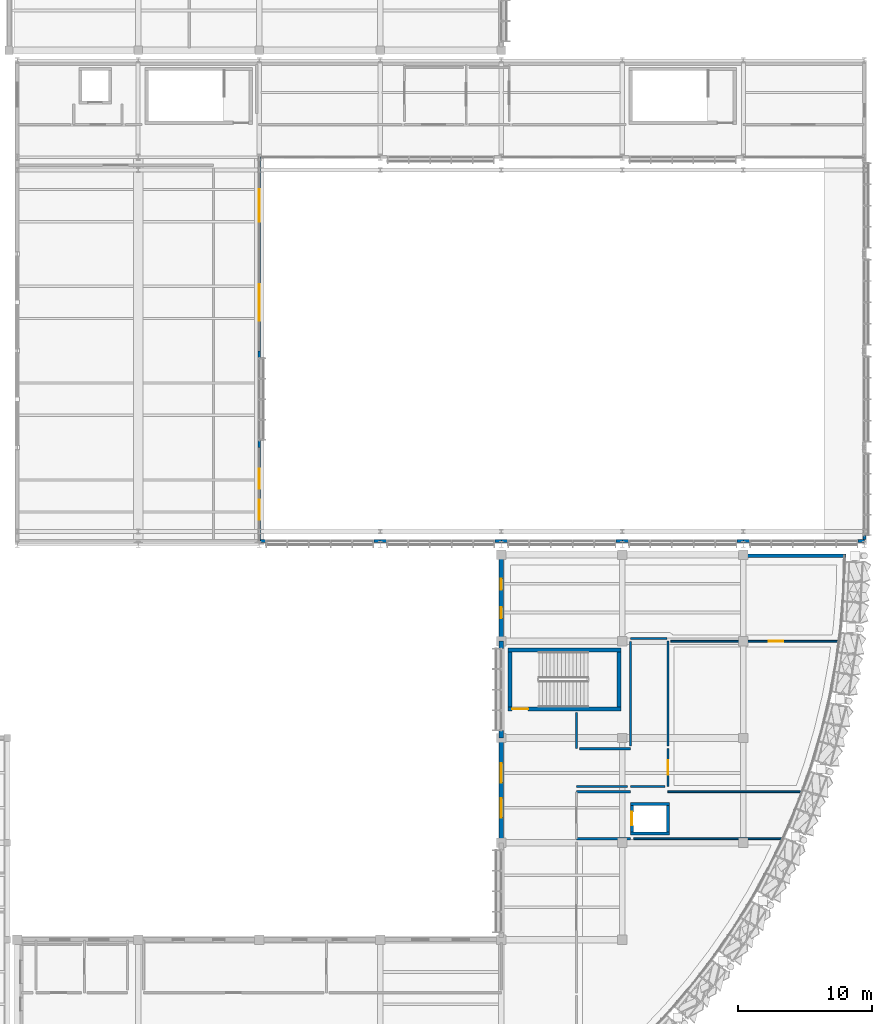
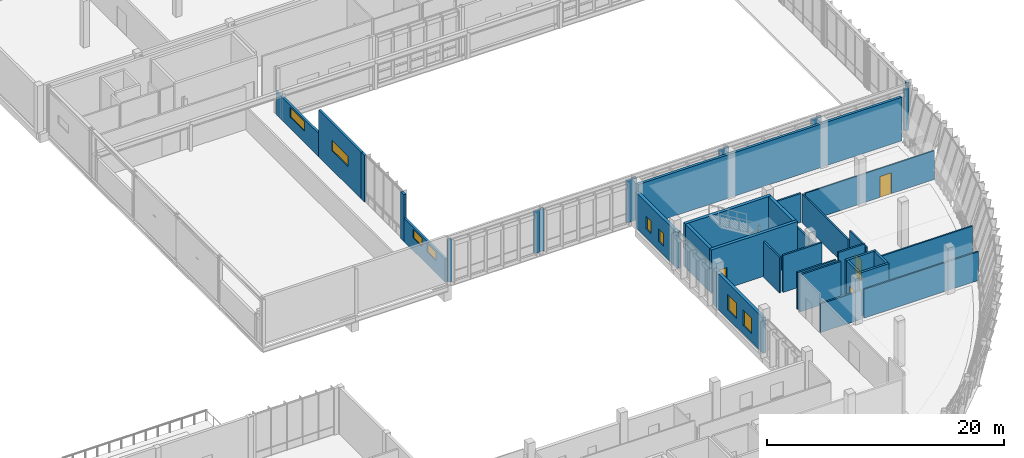
# One storey, part 158 of 177: 42 walls, 8 windows, 4 doors, 12 openings.
"""IFC4 building model written with IfcOpenShell, lengths in metres."""

from ifc_helpers import new_model, si_unit, direction, frame, frame_2d, origin, place, context, subcontext, project, spatial, rectangle, extrude, material, layer, layer_set, type_object, element, fill, save


model = new_model("IFC4")

# Units and contexts
model_context = context("Model", 3, precision=1e-05, world=origin(), true_north=direction((0.0, 1.0)))
body_context = subcontext(model_context, "Body", "Model", "MODEL_VIEW")
ifc_project = project(units=[si_unit("LENGTHUNIT", "METRE"), si_unit("AREAUNIT", "SQUARE_METRE"), si_unit("VOLUMEUNIT", "CUBIC_METRE"), si_unit("PLANEANGLEUNIT", "RADIAN"), si_unit("MASSUNIT", "GRAM", prefix="KILO")], contexts=[model_context])

# Site, building, storey
site_placement = place(None, origin())
site = spatial("IfcSite", under=ifc_project, at=site_placement, CompositionType="ELEMENT")
building_placement = place(site_placement, origin())
building = spatial("IfcBuilding", under=site, at=building_placement, Name="Chiffa Square Polytechnic", CompositionType="ELEMENT")
storey_placement = place(building_placement, frame((0.0, 0.0, 4.800048828125)))
storey = spatial("IfcBuildingStorey", under=building, at=storey_placement, Name="L01", CompositionType="ELEMENT", Elevation=4.800048828125)

# Wall, opening, door
ifc_material_1 = material(Name="Concrete C40/50", Category="concrete")
ifc_layer_1 = layer(ifc_material_1, 0.300048828125, Name="Concrete C40/50")
ifc_layer_set_1 = layer_set([ifc_layer_1], Name="Concrete C40/50")
wall_type_1 = type_object("IfcWallType", Name="WL-CORE-300", PredefinedType="SHEAR", material=ifc_layer_set_1)
wall_1_placement = place(storey_placement, frame((148.699951171875, 45.949951171875, 0.0), z_axis=(0.0, 0.0, 1.0), x_axis=(1.0, 0.0, 0.0)))
wall_1 = element("IfcWall", 1, at=wall_1_placement, inside=storey, type_object=wall_type_1, Name="Core or enclosure wall WC-CORE-V1B-L01-SOUTH", PredefinedType="SHEAR", context=body_context, shape_type="SweptSolid", body=[
    extrude(rectangle(XDim=8.400146484375, YDim=0.300048828125, at=frame_2d((4.2001953125, 0.0))), origin(), (0.0, 0.0, 1.0), 4.47998046875),
])
opening_1_placement = place(wall_1_placement, frame((0.300048828125, 0.0, 0.0)))
opening_1 = element("IfcOpeningElement", 2, at=opening_1_placement, cuts=wall_1, Name="Opening DS-L01-011", PredefinedType="OPENING", context=body_context, shape_type="SweptSolid", body=[
    extrude(rectangle(XDim=1.199951171875, YDim=2.14990234375, at=frame_2d((0.60009765625, 1.074951171875))), frame((0.0, 0.16015625, 0.0), z_axis=(0.0, -1.0, 0.0), x_axis=(1.0, 0.0, 0.0)), (0.0, 0.0, 1.0), 0.320068359375),
])
ifc_material_2 = material(Name="Fire-rated painted steel leaf", Category="steel")
door_type_1 = type_object("IfcDoorType", Name="DR-STAIR-1200", OperationType="NOTDEFINED", PredefinedType="DOOR", material=ifc_material_2)
door_1_placement = place(opening_1_placement, origin())
door_1 = element("IfcDoor", 3, at=door_1_placement, inside=storey, type_object=door_type_1, Name="Enclosure door DS-L01-011", OperationType="SINGLE_SWING_LEFT", OverallHeight=2.14990234375, OverallWidth=1.199951171875, PredefinedType="DOOR", context=body_context, shape_type="SweptSolid", body=[
    extrude(rectangle(XDim=1.199951171875, YDim=2.14990234375, at=frame_2d((0.60009765625, 1.074951171875))), frame((0.0, 0.02490234375, 0.0), z_axis=(0.0, -1.0, 0.0), x_axis=(1.0, 0.0, 0.0)), (0.0, 0.0, 1.0), 0.050048828125),
])
fill(opening_1, door_1)

# Walls
wall_2_placement = place(storey_placement, frame((148.699951171875, 50.35009765625, 0.0), z_axis=(0.0, 0.0, 1.0), x_axis=(1.0, 0.0, 0.0)))
element("IfcWall", 4, at=wall_2_placement, inside=storey, type_object=wall_type_1, Name="Core or enclosure wall WC-CORE-V1B-L01-NORTH", PredefinedType="SHEAR", context=body_context, shape_type="SweptSolid", body=[
    extrude(rectangle(XDim=8.400146484375, YDim=0.300048828125, at=frame_2d((4.2001953125, 0.0))), origin(), (0.0, 0.0, 1.0), 4.47998046875),
])
for number, where, z_axis, x_axis, name in (
    (5, (148.85009765625, 46.10009765625, 0.0), (0.0, 0.0, 1.0), (0.0, 1.0, 0.0), "Core or enclosure wall WC-CORE-V1B-L01-WEST"),
    (6, (156.949951171875, 46.10009765625, 0.0), (0.0, 0.0, 1.0), (0.0, 1.0, 0.0), "Core or enclosure wall WC-CORE-V1B-L01-EAST"),
):
    element("IfcWall", number, at=place(storey_placement, frame(where, z_axis=z_axis, x_axis=x_axis)), inside=storey, type_object=wall_type_1, Name=name, PredefinedType="SHEAR", context=body_context, shape_type="SweptSolid", body=[
        extrude(rectangle(XDim=4.099853515625, YDim=0.300048828125, at=frame_2d((2.0498046875, 0.0))), origin(), (0.0, 0.0, 1.0), 4.47998046875),
    ])

# Wall, openings, windows
ifc_material_3 = material(Name="Precast concrete C40/50", Category="concrete")
ifc_layer_2 = layer(ifc_material_3, 0.219970703125, Name="Precast concrete C40/50")
ifc_layer_set_2 = layer_set([ifc_layer_2], Name="Precast concrete C40/50")
wall_type_2 = type_object("IfcWallType", Name="WL-EXT-PC220", PredefinedType="SOLIDWALL", material=ifc_layer_set_2)
wall_3_placement = place(storey_placement, frame((130.199951171875, 58.449951171875, 0.0), z_axis=(0.0, 0.0, 1.0), x_axis=(0.0, 1.0, 0.0)))
wall_3 = element("IfcWall", 7, at=wall_3_placement, inside=storey, type_object=wall_type_2, Name="Exterior wall WE-V2-L01-0115", PredefinedType="SOLIDWALL", context=body_context, shape_type="SweptSolid", body=[
    extrude(rectangle(XDim=6.949951171875, YDim=0.219970703125, at=frame_2d((3.47509765625, 0.0))), origin(), (0.0, 0.0, 1.0), 2.385009765625),
])
opening_2_placement = place(wall_3_placement, frame((1.56689453125, 0.0, 1.31494140625)))
opening_2 = element("IfcOpeningElement", 8, at=opening_2_placement, cuts=wall_3, Name="Opening WCL-06", PredefinedType="OPENING", context=body_context, shape_type="SweptSolid", body=[
    extrude(rectangle(XDim=1.5, YDim=0.85009765625, at=frame_2d((0.75, 0.425048828125))), frame((0.0, 0.1201171875, 0.0), z_axis=(0.0, -1.0, 0.0), x_axis=(1.0, 0.0, 0.0)), (0.0, 0.0, 1.0), 0.239990234375),
])
opening_3_placement = place(wall_3_placement, frame((3.883056640625, 0.0, 1.31494140625)))
opening_3 = element("IfcOpeningElement", 9, at=opening_3_placement, cuts=wall_3, Name="Opening WCL-06", PredefinedType="OPENING", context=body_context, shape_type="SweptSolid", body=[
    extrude(rectangle(XDim=1.5, YDim=0.85009765625, at=frame_2d((0.75, 0.425048828125))), frame((0.0, 0.1201171875, 0.0), z_axis=(0.0, -1.0, 0.0), x_axis=(1.0, 0.0, 0.0)), (0.0, 0.0, 1.0), 0.239990234375),
])
ifc_material_4 = material(Name="Double glazing in thermally broken aluminium frame", Category="aluminium")
window_type_1 = type_object("IfcWindowType", Name="WIN-CLR-1500X0850", PartitioningType="DOUBLE_PANEL_VERTICAL", PredefinedType="WINDOW", material=ifc_material_4)
window_1_placement = place(opening_2_placement, origin())
window_1 = element("IfcWindow", 10, at=window_1_placement, inside=storey, type_object=window_type_1, Name="Facade window WN-L01-0107", OverallHeight=0.85009765625, OverallWidth=1.5, PartitioningType="DOUBLE_PANEL_VERTICAL", PredefinedType="WINDOW", context=body_context, shape_type="SweptSolid", body=[
    extrude(rectangle(XDim=1.5, YDim=0.85009765625, at=frame_2d((0.75, 0.425048828125))), frame((0.0, 0.030029296875, 0.0), z_axis=(0.0, -1.0, 0.0), x_axis=(1.0, 0.0, 0.0)), (0.0, 0.0, 1.0), 0.06005859375),
])
fill(opening_2, window_1)
window_2_placement = place(opening_3_placement, origin())
window_2 = element("IfcWindow", 11, at=window_2_placement, inside=storey, type_object=window_type_1, Name="Facade window WN-L01-0108", OverallHeight=0.85009765625, OverallWidth=1.5, PartitioningType="DOUBLE_PANEL_VERTICAL", PredefinedType="WINDOW", context=body_context, shape_type="SweptSolid", body=[
    extrude(rectangle(XDim=1.5, YDim=0.85009765625, at=frame_2d((0.75, 0.425048828125))), frame((0.0, 0.030029296875, 0.0), z_axis=(0.0, -1.0, 0.0), x_axis=(1.0, 0.0, 0.0)), (0.0, 0.0, 1.0), 0.06005859375),
])
fill(opening_3, window_2)

# Walls
for number, where, z_axis, x_axis, name in (
    (12, (130.199951171875, 65.39990234375, 0.0), (0.0, 0.0, 1.0), (0.0, 1.0, 0.0), "Facade column pier V2-L01-0116L"),
    (13, (130.199951171875, 72.06005859375, 0.0), (0.0, 0.0, 1.0), (0.0, 1.0, 0.0), "Facade column pier V2-L01-0116R"),
):
    element("IfcWall", number, at=place(storey_placement, frame(where, z_axis=z_axis, x_axis=x_axis)), inside=storey, type_object=wall_type_2, Name=name, PredefinedType="SOLIDWALL", context=body_context, shape_type="SweptSolid", body=[
        extrude(rectangle(XDim=0.5400390625, YDim=0.219970703125, at=frame_2d((0.27001953125, 0.0))), origin(), (0.0, 0.0, 1.0), 4.800048828125),
    ])

# Wall, opening, window
wall_4_placement = place(storey_placement, frame((130.199951171875, 72.60009765625, 0.0), z_axis=(0.0, 0.0, 1.0), x_axis=(0.0, 1.0, 0.0)))
wall_4 = element("IfcWall", 14, at=wall_4_placement, inside=storey, type_object=wall_type_2, Name="Exterior wall WE-V2-L01-0117", PredefinedType="SOLIDWALL", context=body_context, shape_type="SweptSolid", body=[
    extrude(rectangle(XDim=7.199951171875, YDim=0.219970703125, at=frame_2d((3.60009765625, 0.0))), origin(), (0.0, 0.0, 1.0), 4.800048828125),
])
opening_4_placement = place(wall_4_placement, frame((2.25, 0.0, 2.0)))
opening_4 = element("IfcOpeningElement", 15, at=opening_4_placement, cuts=wall_4, Name="Opening WCL-02", PredefinedType="OPENING", context=body_context, shape_type="SweptSolid", body=[
    extrude(rectangle(XDim=2.699951171875, YDim=1.050048828125, at=frame_2d((1.35009765625, 0.52490234375))), frame((0.0, 0.1201171875, 0.0), z_axis=(0.0, -1.0, 0.0), x_axis=(1.0, 0.0, 0.0)), (0.0, 0.0, 1.0), 0.239990234375),
])
window_type_2 = type_object("IfcWindowType", Name="WIN-CLR-2700X1050", PartitioningType="DOUBLE_PANEL_VERTICAL", PredefinedType="WINDOW", material=ifc_material_4)
window_3_placement = place(opening_4_placement, origin())
window_3 = element("IfcWindow", 16, at=window_3_placement, inside=storey, type_object=window_type_2, Name="Facade window WN-L01-0109", OverallHeight=1.050048828125, OverallWidth=2.699951171875, PartitioningType="DOUBLE_PANEL_VERTICAL", PredefinedType="WINDOW", context=body_context, shape_type="SweptSolid", body=[
    extrude(rectangle(XDim=2.699951171875, YDim=1.050048828125, at=frame_2d((1.35009765625, 0.52490234375))), frame((0.0, 0.030029296875, 0.0), z_axis=(0.0, -1.0, 0.0), x_axis=(1.0, 0.0, 0.0)), (0.0, 0.0, 1.0), 0.06005859375),
])
fill(opening_4, window_3)

wall_5_placement = place(storey_placement, frame((130.199951171875, 79.800048828125, 0.0), z_axis=(0.0, 0.0, 1.0), x_axis=(0.0, 1.0, 0.0)))
wall_5 = element("IfcWall", 17, at=wall_5_placement, inside=storey, type_object=wall_type_2, Name="Exterior wall WE-V2-L01-0118", PredefinedType="SOLIDWALL", context=body_context, shape_type="SweptSolid", body=[
    extrude(rectangle(XDim=7.199951171875, YDim=0.219970703125, at=frame_2d((3.60009765625, 0.0))), origin(), (0.0, 0.0, 1.0), 2.385009765625),
])
opening_5_placement = place(wall_5_placement, frame((2.39990234375, 0.0, 1.1650390625)))
opening_5 = element("IfcOpeningElement", 18, at=opening_5_placement, cuts=wall_5, Name="Opening WCL-03", PredefinedType="OPENING", context=body_context, shape_type="SweptSolid", body=[
    extrude(rectangle(XDim=2.39990234375, YDim=1.0, at=frame_2d((1.199951171875, 0.5))), frame((0.0, 0.1201171875, 0.0), z_axis=(0.0, -1.0, 0.0), x_axis=(1.0, 0.0, 0.0)), (0.0, 0.0, 1.0), 0.239990234375),
])
window_type_3 = type_object("IfcWindowType", Name="WIN-CLR-2400X1000", PartitioningType="DOUBLE_PANEL_VERTICAL", PredefinedType="WINDOW", material=ifc_material_4)
window_4_placement = place(opening_5_placement, origin())
window_4 = element("IfcWindow", 19, at=window_4_placement, inside=storey, type_object=window_type_3, Name="Facade window WN-L01-0110", OverallHeight=1.0, OverallWidth=2.39990234375, PartitioningType="DOUBLE_PANEL_VERTICAL", PredefinedType="WINDOW", context=body_context, shape_type="SweptSolid", body=[
    extrude(rectangle(XDim=2.39990234375, YDim=1.0, at=frame_2d((1.199951171875, 0.5))), frame((0.0, 0.030029296875, 0.0), z_axis=(0.0, -1.0, 0.0), x_axis=(1.0, 0.0, 0.0)), (0.0, 0.0, 1.0), 0.06005859375),
])
fill(opening_5, window_4)

# Walls
wall_6_placement = place(storey_placement, frame((130.31201171875, 58.449951171875, 0.0), z_axis=(0.0, 0.0, 1.0), x_axis=(1.0, 0.0, 0.0)))
element("IfcWall", 20, at=wall_6_placement, inside=storey, type_object=wall_type_2, Name="Workshop south courtyard pier WE-V2-L01S-P01A", PredefinedType="SOLIDWALL", context=body_context, shape_type="SweptSolid", body=[
    extrude(rectangle(XDim=0.367919921875, YDim=0.219970703125, at=frame_2d((0.18408203125, 0.0))), origin(), (0.0, 0.0, 1.0), 4.3349609375),
])
for number, where, z_axis, x_axis, name in (
    (21, (138.719970703125, 58.449951171875, 0.0), (0.0, 0.0, 1.0), (1.0, 0.0, 0.0), "Workshop south courtyard pier WE-V2-L01S-P01B"),
    (22, (139.199951171875, 58.449951171875, 0.0), (0.0, 0.0, 1.0), (1.0, 0.0, 0.0), "Workshop south courtyard pier WE-V2-L01S-P02A"),
    (23, (147.719970703125, 58.449951171875, 0.0), (0.0, 0.0, 1.0), (1.0, 0.0, 0.0), "Workshop south courtyard pier WE-V2-L01S-P02B"),
    (24, (148.199951171875, 58.449951171875, 0.0), (0.0, 0.0, 1.0), (1.0, 0.0, 0.0), "Workshop south courtyard pier WE-V2-L01S-P03A"),
    (25, (156.719970703125, 58.449951171875, 0.0), (0.0, 0.0, 1.0), (1.0, 0.0, 0.0), "Workshop south courtyard pier WE-V2-L01S-P03B"),
    (26, (157.199951171875, 58.449951171875, 0.0), (0.0, 0.0, 1.0), (1.0, 0.0, 0.0), "Workshop south courtyard pier WE-V2-L01S-P04A"),
    (27, (165.719970703125, 58.449951171875, 0.0), (0.0, 0.0, 1.0), (1.0, 0.0, 0.0), "Workshop south courtyard pier WE-V2-L01S-P04B"),
    (28, (166.199951171875, 58.449951171875, 0.0), (0.0, 0.0, 1.0), (1.0, 0.0, 0.0), "Workshop south courtyard pier WE-V2-L01S-P05A"),
    (29, (174.719970703125, 58.449951171875, 0.0), (0.0, 0.0, 1.0), (1.0, 0.0, 0.0), "Workshop south courtyard pier WE-V2-L01S-P05B"),
):
    element("IfcWall", number, at=place(storey_placement, frame(where, z_axis=z_axis, x_axis=x_axis)), inside=storey, type_object=wall_type_2, Name=name, PredefinedType="SOLIDWALL", context=body_context, shape_type="SweptSolid", body=[
        extrude(rectangle(XDim=0.47998046875, YDim=0.219970703125, at=frame_2d((0.239990234375, 0.0))), origin(), (0.0, 0.0, 1.0), 4.3349609375),
    ])
wall_7_placement = place(storey_placement, frame((175.199951171875, 58.56201171875, 0.0), z_axis=(0.0, 0.0, 1.0), x_axis=(0.0, 1.0, 0.0)))
element("IfcWall", 30, at=wall_7_placement, inside=storey, type_object=wall_type_2, Name="Workshop east pier WE-V2-L01E-P01A", PredefinedType="SOLIDWALL", context=body_context, shape_type="SweptSolid", body=[
    extrude(rectangle(XDim=0.30810546875, YDim=0.219970703125, at=frame_2d((0.154052734375, 0.0))), origin(), (0.0, 0.0, 1.0), 4.75),
])

# Wall, openings, windows
ifc_layer_3 = layer(ifc_material_3, 0.300048828125, Name="Precast concrete C40/50")
ifc_layer_set_3 = layer_set([ifc_layer_3], Name="Precast concrete C40/50")
wall_type_3 = type_object("IfcWallType", Name="WL-EXT-PC300", PredefinedType="SOLIDWALL", material=ifc_layer_set_3)
wall_8_placement = place(storey_placement, frame((148.199951171875, 43.800048828125, 0.0), z_axis=(0.0, 0.0, 1.0), x_axis=(0.0, -1.0, 0.0)))
wall_8 = element("IfcWall", 31, at=wall_8_placement, inside=storey, type_object=wall_type_3, Name="Exterior wall WE-V1-L01-0024", PredefinedType="SOLIDWALL", context=body_context, shape_type="SweptSolid", body=[
    extrude(rectangle(XDim=7.800048828125, YDim=0.300048828125, at=frame_2d((3.89990234375, 0.0))), origin(), (0.0, 0.0, 1.0), 3.6650390625),
])
opening_6_placement = place(wall_8_placement, frame((1.875, 0.0, 0.89990234375)))
opening_6 = element("IfcOpeningElement", 32, at=opening_6_placement, cuts=wall_8, Name="Opening W-16", PredefinedType="OPENING", context=body_context, shape_type="SweptSolid", body=[
    extrude(rectangle(XDim=1.449951171875, YDim=1.60009765625, at=frame_2d((0.72509765625, 0.800048828125))), frame((0.0, 0.16015625, 0.0), z_axis=(0.0, -1.0, 0.0), x_axis=(1.0, 0.0, 0.0)), (0.0, 0.0, 1.0), 0.320068359375),
])
opening_7_placement = place(wall_8_placement, frame((4.47509765625, 0.0, 0.89990234375)))
opening_7 = element("IfcOpeningElement", 33, at=opening_7_placement, cuts=wall_8, Name="Opening W-16", PredefinedType="OPENING", context=body_context, shape_type="SweptSolid", body=[
    extrude(rectangle(XDim=1.449951171875, YDim=1.60009765625, at=frame_2d((0.72509765625, 0.800048828125))), frame((0.0, 0.16015625, 0.0), z_axis=(0.0, -1.0, 0.0), x_axis=(1.0, 0.0, 0.0)), (0.0, 0.0, 1.0), 0.320068359375),
])
window_type_4 = type_object("IfcWindowType", Name="WIN-OFF-1450X1600", PartitioningType="DOUBLE_PANEL_VERTICAL", PredefinedType="WINDOW", material=ifc_material_4)
window_5_placement = place(opening_6_placement, origin())
window_5 = element("IfcWindow", 34, at=window_5_placement, inside=storey, type_object=window_type_4, Name="Facade window WN-L01-0017", OverallHeight=1.60009765625, OverallWidth=1.449951171875, PartitioningType="DOUBLE_PANEL_VERTICAL", PredefinedType="WINDOW", context=body_context, shape_type="SweptSolid", body=[
    extrude(rectangle(XDim=1.449951171875, YDim=1.60009765625, at=frame_2d((0.72509765625, 0.800048828125))), frame((0.0, 0.030029296875, 0.0), z_axis=(0.0, -1.0, 0.0), x_axis=(1.0, 0.0, 0.0)), (0.0, 0.0, 1.0), 0.06005859375),
])
fill(opening_6, window_5)
window_6_placement = place(opening_7_placement, origin())
window_6 = element("IfcWindow", 35, at=window_6_placement, inside=storey, type_object=window_type_4, Name="Facade window WN-L01-0018", OverallHeight=1.60009765625, OverallWidth=1.449951171875, PartitioningType="DOUBLE_PANEL_VERTICAL", PredefinedType="WINDOW", context=body_context, shape_type="SweptSolid", body=[
    extrude(rectangle(XDim=1.449951171875, YDim=1.60009765625, at=frame_2d((0.72509765625, 0.800048828125))), frame((0.0, 0.030029296875, 0.0), z_axis=(0.0, -1.0, 0.0), x_axis=(1.0, 0.0, 0.0)), (0.0, 0.0, 1.0), 0.06005859375),
])
fill(opening_7, window_6)

ifc_layer_4 = layer(ifc_material_3, 0.320068359375, Name="Precast concrete C40/50")
ifc_layer_set_4 = layer_set([ifc_layer_4], Name="Precast concrete C40/50")
wall_type_4 = type_object("IfcWallType", Name="WL-EXT-PC320", PredefinedType="SOLIDWALL", material=ifc_layer_set_4)
wall_9_placement = place(storey_placement, frame((148.199951171875, 57.35009765625, 0.0), z_axis=(0.0, 0.0, 1.0), x_axis=(0.0, -1.0, 0.0)))
wall_9 = element("IfcWall", 36, at=wall_9_placement, inside=storey, type_object=wall_type_4, Name="Exterior wall WE-V1-L01-0022", PredefinedType="SOLIDWALL", context=body_context, shape_type="SweptSolid", body=[
    extrude(rectangle(XDim=6.35009765625, YDim=0.320068359375, at=frame_2d((3.175048828125, 0.0))), origin(), (0.0, 0.0, 1.0), 3.6650390625),
])
opening_8_placement = place(wall_9_placement, frame((1.69189453125, 0.0, 0.89990234375)))
opening_8 = element("IfcOpeningElement", 37, at=opening_8_placement, cuts=wall_9, Name="Opening W-22", PredefinedType="OPENING", context=body_context, shape_type="SweptSolid", body=[
    extrude(rectangle(XDim=0.85009765625, YDim=1.300048828125, at=frame_2d((0.425048828125, 0.64990234375))), frame((0.0, 0.169921875, 0.0), z_axis=(0.0, -1.0, 0.0), x_axis=(1.0, 0.0, 0.0)), (0.0, 0.0, 1.0), 0.340087890625),
])
opening_9_placement = place(wall_9_placement, frame((3.80810546875, 0.0, 0.89990234375)))
opening_9 = element("IfcOpeningElement", 38, at=opening_9_placement, cuts=wall_9, Name="Opening W-22", PredefinedType="OPENING", context=body_context, shape_type="SweptSolid", body=[
    extrude(rectangle(XDim=0.85009765625, YDim=1.300048828125, at=frame_2d((0.425048828125, 0.64990234375))), frame((0.0, 0.169921875, 0.0), z_axis=(0.0, -1.0, 0.0), x_axis=(1.0, 0.0, 0.0)), (0.0, 0.0, 1.0), 0.340087890625),
])
window_type_5 = type_object("IfcWindowType", Name="WIN-OFF-0850X1300", PartitioningType="DOUBLE_PANEL_VERTICAL", PredefinedType="WINDOW", material=ifc_material_4)
window_7_placement = place(opening_8_placement, origin())
window_7 = element("IfcWindow", 39, at=window_7_placement, inside=storey, type_object=window_type_5, Name="Facade window WN-L01-0015", OverallHeight=1.300048828125, OverallWidth=0.85009765625, PartitioningType="DOUBLE_PANEL_VERTICAL", PredefinedType="WINDOW", context=body_context, shape_type="SweptSolid", body=[
    extrude(rectangle(XDim=0.85009765625, YDim=1.300048828125, at=frame_2d((0.425048828125, 0.64990234375))), frame((0.0, 0.030029296875, 0.0), z_axis=(0.0, -1.0, 0.0), x_axis=(1.0, 0.0, 0.0)), (0.0, 0.0, 1.0), 0.06005859375),
])
fill(opening_8, window_7)
window_8_placement = place(opening_9_placement, origin())
window_8 = element("IfcWindow", 40, at=window_8_placement, inside=storey, type_object=window_type_5, Name="Facade window WN-L01-0016", OverallHeight=1.300048828125, OverallWidth=0.85009765625, PartitioningType="DOUBLE_PANEL_VERTICAL", PredefinedType="WINDOW", context=body_context, shape_type="SweptSolid", body=[
    extrude(rectangle(XDim=0.85009765625, YDim=1.300048828125, at=frame_2d((0.425048828125, 0.64990234375))), frame((0.0, 0.030029296875, 0.0), z_axis=(0.0, -1.0, 0.0), x_axis=(1.0, 0.0, 0.0)), (0.0, 0.0, 1.0), 0.06005859375),
])
fill(opening_9, window_8)

# Walls
ifc_layer_5 = layer(ifc_material_3, 0.340087890625, Name="Precast concrete C40/50")
ifc_layer_set_5 = layer_set([ifc_layer_5], Name="Precast concrete C40/50")
wall_type_5 = type_object("IfcWallType", Name="WL-EXT-PC340", PredefinedType="SOLIDWALL", material=ifc_layer_set_5)
for number, where, z_axis, x_axis, name in (
    (41, (148.199951171875, 51.0, 0.0), (0.0, 0.0, 1.0), (0.0, -1.0, 0.0), "Facade column pier V1-L01-0023L"),
    (42, (148.199951171875, 44.340087890625, 0.0), (0.0, 0.0, 1.0), (0.0, -1.0, 0.0), "Facade column pier V1-L01-0023R"),
):
    element("IfcWall", number, at=place(storey_placement, frame(where, z_axis=z_axis, x_axis=x_axis)), inside=storey, type_object=wall_type_5, Name=name, PredefinedType="SOLIDWALL", context=body_context, shape_type="SweptSolid", body=[
        extrude(rectangle(XDim=0.5400390625, YDim=0.340087890625, at=frame_2d((0.27001953125, 0.0))), origin(), (0.0, 0.0, 1.0), 3.6650390625),
    ])

# Wall, opening, door
ifc_material_5 = material(Name="Gypsum board on steel stud", Category="steel")
ifc_layer_6 = layer(ifc_material_5, 0.125, Name="Gypsum board on steel stud")
ifc_layer_set_6 = layer_set([ifc_layer_6], Name="Gypsum board on steel stud")
wall_type_6 = type_object("IfcWallType", Name="WL-PART-125", PredefinedType="PARTITIONING", material=ifc_layer_set_6)
wall_10_placement = place(storey_placement, frame((160.820068359375, 51.0, 0.0), z_axis=(0.0, 0.0, 1.0), x_axis=(1.0, 0.0, 0.0)))
wall_10 = element("IfcWall", 43, at=wall_10_placement, inside=storey, type_object=wall_type_6, Name="Interior partition WP-V1-L01-0302", PredefinedType="PARTITIONING", context=body_context, shape_type="SweptSolid", body=[
    extrude(rectangle(XDim=12.550048828125, YDim=0.125, at=frame_2d((6.27490234375, 0.0))), origin(), (0.0, 0.0, 1.0), 2.96484375),
])
opening_10_placement = place(wall_10_placement, frame((7.26611328125, 0.0, 0.0)))
opening_10 = element("IfcOpeningElement", 44, at=opening_10_placement, cuts=wall_10, Name="Opening DI-L01-136", PredefinedType="OPENING", context=body_context, shape_type="SweptSolid", body=[
    extrude(rectangle(XDim=1.10009765625, YDim=2.14990234375, at=frame_2d((0.550048828125, 1.074951171875))), frame((0.0, 0.072509765625, 0.0), z_axis=(0.0, -1.0, 0.0), x_axis=(1.0, 0.0, 0.0)), (0.0, 0.0, 1.0), 0.14501953125),
])
ifc_material_6 = material(Name="Solid core ash veneer door")
door_type_2 = type_object("IfcDoorType", Name="DR-INT-1100", OperationType="NOTDEFINED", PredefinedType="DOOR", material=ifc_material_6)
door_2_placement = place(opening_10_placement, origin())
door_2 = element("IfcDoor", 45, at=door_2_placement, inside=storey, type_object=door_type_2, Name="Interior room door DI-L01-136", OperationType="SINGLE_SWING_LEFT", OverallHeight=2.14990234375, OverallWidth=1.10009765625, PredefinedType="DOOR", context=body_context, shape_type="SweptSolid", body=[
    extrude(rectangle(XDim=1.10009765625, YDim=2.14990234375, at=frame_2d((0.550048828125, 1.074951171875))), frame((0.0, 0.02490234375, 0.0), z_axis=(0.0, -1.0, 0.0), x_axis=(1.0, 0.0, 0.0)), (0.0, 0.0, 1.0), 0.050048828125),
])
fill(opening_10, door_2)

# Walls
ifc_layer_7 = layer(ifc_material_5, 0.135009765625, Name="Gypsum board on steel stud")
ifc_layer_set_7 = layer_set([ifc_layer_7], Name="Gypsum board on steel stud")
wall_type_7 = type_object("IfcWallType", Name="WL-PART-135", PredefinedType="PARTITIONING", material=ifc_layer_set_7)
wall_11_placement = place(storey_placement, frame((160.60009765625, 43.219970703125, 0.0), z_axis=(0.0, 0.0, 1.0), x_axis=(0.0, 1.0, 0.0)))
element("IfcWall", 46, at=wall_11_placement, inside=storey, type_object=wall_type_7, Name="Interior partition WP-V1-L01-0301", PredefinedType="PARTITIONING", context=body_context, shape_type="SweptSolid", body=[
    extrude(rectangle(XDim=7.780029296875, YDim=0.135009765625, at=frame_2d((3.89013671875, 0.0))), origin(), (0.0, 0.0, 1.0), 2.96484375),
])
wall_12_placement = place(storey_placement, frame((158.0400390625, 36.300048828125, 0.0), z_axis=(0.0, 0.0, 1.0), x_axis=(1.0, 0.0, 0.0)))
element("IfcWall", 47, at=wall_12_placement, inside=storey, type_object=wall_type_7, Name="Interior partition WP-V1-L01-0325", PredefinedType="PARTITIONING", context=body_context, shape_type="SweptSolid", body=[
    extrude(rectangle(XDim=11.153076171875, YDim=0.135009765625, at=frame_2d((5.57666015625, 0.0))), origin(), (0.0, 0.0, 1.0), 2.96484375),
])
ifc_layer_8 = layer(ifc_material_5, 0.14501953125, Name="Gypsum board on steel stud")
ifc_layer_set_8 = layer_set([ifc_layer_8], Name="Gypsum board on steel stud")
wall_type_8 = type_object("IfcWallType", Name="WL-PART-145", PredefinedType="PARTITIONING", material=ifc_layer_set_8)
wall_13_placement = place(storey_placement, frame((160.60009765625, 39.800048828125, 0.0), z_axis=(0.0, 0.0, 1.0), x_axis=(1.0, 0.0, 0.0)))
element("IfcWall", 48, at=wall_13_placement, inside=storey, type_object=wall_type_8, Name="Interior partition WP-V1-L01-0303", PredefinedType="PARTITIONING", context=body_context, shape_type="SweptSolid", body=[
    extrude(rectangle(XDim=10.034912109375, YDim=0.14501953125, at=frame_2d((5.017578125, 0.0))), origin(), (0.0, 0.0, 1.0), 2.96484375),
])
ifc_material_7 = material(Name="Gypsum board on acoustic steel stud", Category="steel")
ifc_layer_9 = layer(ifc_material_7, 0.159912109375, Name="Gypsum board on acoustic steel stud")
ifc_layer_set_9 = layer_set([ifc_layer_9], Name="Gypsum board on acoustic steel stud")
wall_type_9 = type_object("IfcWallType", Name="WL-PART-EI60-160", PredefinedType="PARTITIONING", material=ifc_layer_set_9)
wall_14_placement = place(storey_placement, frame((153.800048828125, 36.300048828125, 0.0), z_axis=(0.0, 0.0, 1.0), x_axis=(1.0, 0.0, 0.0)))
element("IfcWall", 49, at=wall_14_placement, inside=storey, type_object=wall_type_9, Name="Lift lobby rated enclosure WP-LOB-LP-V1B-L01-SOUTH", PredefinedType="PARTITIONING", context=body_context, shape_type="SweptSolid", body=[
    extrude(rectangle(XDim=4.0, YDim=0.159912109375, at=frame_2d((2.0, 0.0))), origin(), (0.0, 0.0, 1.0), 2.96484375),
])
wall_15_placement = place(storey_placement, frame((153.800048828125, 39.800048828125, 0.0), z_axis=(0.0, 0.0, 1.0), x_axis=(1.0, 0.0, 0.0)))
element("IfcWall", 50, at=wall_15_placement, inside=storey, type_object=wall_type_9, Name="Lift lobby rated enclosure WP-LOB-LP-V1B-L01-NORTH", PredefinedType="PARTITIONING", context=body_context, shape_type="SweptSolid", body=[
    extrude(rectangle(XDim=4.0, YDim=0.159912109375, at=frame_2d((2.0, 0.0))), origin(), (0.0, 0.0, 1.0), 3.81494140625),
])

# Wall, opening, door
wall_16_placement = place(storey_placement, frame((160.60009765625, 40.199951171875, 0.0), z_axis=(0.0, 0.0, 1.0), x_axis=(0.0, 1.0, 0.0)))
wall_16 = element("IfcWall", 51, at=wall_16_placement, inside=storey, type_object=wall_type_9, Name="Interior partition WP-V1-L01-0300", PredefinedType="PARTITIONING", context=body_context, shape_type="SweptSolid", body=[
    extrude(rectangle(XDim=2.800048828125, YDim=0.159912109375, at=frame_2d((1.39990234375, 0.0))), origin(), (0.0, 0.0, 1.0), 4.02490234375),
])
opening_11_placement = place(wall_16_placement, frame((0.85009765625, 0.0, 0.0)))
opening_11 = element("IfcOpeningElement", 52, at=opening_11_placement, cuts=wall_16, Name="Opening DI-L01-135", PredefinedType="OPENING", context=body_context, shape_type="SweptSolid", body=[
    extrude(rectangle(XDim=1.10009765625, YDim=2.14990234375, at=frame_2d((0.550048828125, 1.074951171875))), frame((0.0, 0.08984375, 0.0), z_axis=(0.0, -1.0, 0.0), x_axis=(1.0, 0.0, 0.0)), (0.0, 0.0, 1.0), 0.179931640625),
])
door_3_placement = place(opening_11_placement, origin())
door_3 = element("IfcDoor", 53, at=door_3_placement, inside=storey, type_object=door_type_2, Name="Interior room door DI-L01-135", OperationType="SINGLE_SWING_RIGHT", OverallHeight=2.14990234375, OverallWidth=1.10009765625, PredefinedType="DOOR", context=body_context, shape_type="SweptSolid", body=[
    extrude(rectangle(XDim=1.10009765625, YDim=2.14990234375, at=frame_2d((0.550048828125, 1.074951171875))), frame((0.0, 0.02490234375, 0.0), z_axis=(0.0, -1.0, 0.0), x_axis=(1.0, 0.0, 0.0)), (0.0, 0.0, 1.0), 0.050048828125),
])
fill(opening_11, door_3)

# Walls
wall_17_placement = place(storey_placement, frame((157.800048828125, 51.199951171875, 0.0), z_axis=(0.0, 0.0, 1.0), x_axis=(1.0, 0.0, 0.0)))
element("IfcWall", 54, at=wall_17_placement, inside=storey, type_object=wall_type_9, Name="Interior partition WP-V1-L01-0307", PredefinedType="PARTITIONING", context=body_context, shape_type="SweptSolid", body=[
    extrude(rectangle(XDim=2.708984375, YDim=0.159912109375, at=frame_2d((1.3544921875, 0.0))), origin(), (0.0, 0.0, 1.0), 2.96484375),
])
wall_18_placement = place(storey_placement, frame((153.800048828125, 43.0, 0.0), z_axis=(0.0, 0.0, 1.0), x_axis=(0.0, 1.0, 0.0)))
element("IfcWall", 55, at=wall_18_placement, inside=storey, type_object=wall_type_9, Name="Interior partition WP-V1-L01-0360", PredefinedType="PARTITIONING", context=body_context, shape_type="SweptSolid", body=[
    extrude(rectangle(XDim=2.7099609375, YDim=0.159912109375, at=frame_2d((1.35498046875, 0.0))), origin(), (0.0, 0.0, 1.0), 3.6650390625),
])
wall_19_placement = place(storey_placement, frame((154.02001953125, 43.0, 0.0), z_axis=(0.0, 0.0, 1.0), x_axis=(1.0, 0.0, 0.0)))
element("IfcWall", 56, at=wall_19_placement, inside=storey, type_object=wall_type_9, Name="Interior partition WP-V1-L01-0361", PredefinedType="PARTITIONING", context=body_context, shape_type="SweptSolid", body=[
    extrude(rectangle(XDim=3.780029296875, YDim=0.159912109375, at=frame_2d((1.89013671875, 0.0))), origin(), (0.0, 0.0, 1.0), 3.81494140625),
])
wall_20_placement = place(storey_placement, frame((157.800048828125, 43.219970703125, 0.0), z_axis=(0.0, 0.0, 1.0), x_axis=(0.0, 1.0, 0.0)))
element("IfcWall", 57, at=wall_20_placement, inside=storey, type_object=wall_type_9, Name="Interior partition WP-V1-L01-0362", PredefinedType="PARTITIONING", context=body_context, shape_type="SweptSolid", body=[
    extrude(rectangle(XDim=7.760009765625, YDim=0.159912109375, at=frame_2d((3.8798828125, 0.0))), origin(), (0.0, 0.0, 1.0), 2.96484375),
])
wall_21_placement = place(storey_placement, frame((157.800048828125, 40.199951171875, 0.0), z_axis=(0.0, 0.0, 1.0), x_axis=(1.0, 0.0, 0.0)))
element("IfcWall", 58, at=wall_21_placement, inside=storey, type_object=wall_type_9, Name="Interior partition WP-V1-L01-0363", PredefinedType="PARTITIONING", context=body_context, shape_type="SweptSolid", body=[
    extrude(rectangle(XDim=2.579833984375, YDim=0.159912109375, at=frame_2d((1.2900390625, 0.0))), origin(), (0.0, 0.0, 1.0), 4.47998046875),
])
wall_22_placement = place(storey_placement, frame((153.800048828125, 40.199951171875, 0.0), z_axis=(0.0, 0.0, 1.0), x_axis=(1.0, 0.0, 0.0)))
element("IfcWall", 59, at=wall_22_placement, inside=storey, type_object=wall_type_9, Name="Interior partition WP-V1-L01-0364", PredefinedType="PARTITIONING", context=body_context, shape_type="SweptSolid", body=[
    extrude(rectangle(XDim=3.780029296875, YDim=0.159912109375, at=frame_2d((1.89013671875, 0.0))), origin(), (0.0, 0.0, 1.0), 3.81494140625),
])
ifc_material_8 = material(Name="Concrete C35/45", Category="concrete")
ifc_layer_10 = layer(ifc_material_8, 0.219970703125, Name="Concrete C35/45")
ifc_layer_set_10 = layer_set([ifc_layer_10], Name="Concrete C35/45")
wall_type_10 = type_object("IfcWallType", Name="WL-SHAFT-220", PredefinedType="SHEAR", material=ifc_layer_set_10)
for number, where, z_axis, x_axis, name in (
    (60, (157.800048828125, 36.7099609375, 0.0), (0.0, 0.0, 1.0), (1.0, 0.0, 0.0), "Core or enclosure wall WS-LP-V1B-L01-SOUTH"),
    (61, (157.800048828125, 38.889892578125, 0.0), (0.0, 0.0, 1.0), (1.0, 0.0, 0.0), "Core or enclosure wall WS-LP-V1B-L01-NORTH"),
):
    element("IfcWall", number, at=place(storey_placement, frame(where, z_axis=z_axis, x_axis=x_axis)), inside=storey, type_object=wall_type_10, Name=name, PredefinedType="SHEAR", context=body_context, shape_type="SweptSolid", body=[
        extrude(rectangle(XDim=2.89990234375, YDim=0.219970703125, at=frame_2d((1.449951171875, 0.0))), origin(), (0.0, 0.0, 1.0), 4.47998046875),
    ])

# Wall, opening, door
wall_23_placement = place(storey_placement, frame((157.909912109375, 36.820068359375, 0.0), z_axis=(0.0, 0.0, 1.0), x_axis=(0.0, 1.0, 0.0)))
wall_23 = element("IfcWall", 62, at=wall_23_placement, inside=storey, type_object=wall_type_10, Name="Core or enclosure wall WS-LP-V1B-L01-WEST", PredefinedType="SHEAR", context=body_context, shape_type="SweptSolid", body=[
    extrude(rectangle(XDim=1.9599609375, YDim=0.219970703125, at=frame_2d((0.97998046875, 0.0))), origin(), (0.0, 0.0, 1.0), 4.47998046875),
])
opening_12_placement = place(wall_23_placement, frame((0.47998046875, 0.0, 0.0)))
opening_12 = element("IfcOpeningElement", 63, at=opening_12_placement, cuts=wall_23, Name="Opening LD-LP-V1B-L01", PredefinedType="OPENING", context=body_context, shape_type="SweptSolid", body=[
    extrude(rectangle(XDim=1.0, YDim=2.14990234375, at=frame_2d((0.5, 1.074951171875))), frame((0.0, 0.1201171875, 0.0), z_axis=(0.0, -1.0, 0.0), x_axis=(1.0, 0.0, 0.0)), (0.0, 0.0, 1.0), 0.239990234375),
])
ifc_material_9 = material(Name="Brushed stainless steel sliding landing door", Category="steel")
door_type_3 = type_object("IfcDoorType", Name="DR-LIFT-1000", OperationType="SLIDING_TO_RIGHT", PredefinedType="DOOR", material=ifc_material_9)
door_4_placement = place(opening_12_placement, origin())
door_4 = element("IfcDoor", 64, at=door_4_placement, inside=storey, type_object=door_type_3, Name="Enclosure door LD-LP-V1B-L01", OperationType="SLIDING_TO_LEFT", OverallHeight=2.14990234375, OverallWidth=1.0, PredefinedType="DOOR", context=body_context, shape_type="SweptSolid", body=[
    extrude(rectangle(XDim=1.0, YDim=2.14990234375, at=frame_2d((0.5, 1.074951171875))), frame((0.0, 0.02490234375, 0.0), z_axis=(0.0, -1.0, 0.0), x_axis=(1.0, 0.0, 0.0)), (0.0, 0.0, 1.0), 0.050048828125),
])
fill(opening_12, door_4)

# Walls
wall_24_placement = place(storey_placement, frame((160.590087890625, 36.820068359375, 0.0), z_axis=(0.0, 0.0, 1.0), x_axis=(0.0, 1.0, 0.0)))
element("IfcWall", 65, at=wall_24_placement, inside=storey, type_object=wall_type_10, Name="Core or enclosure wall WS-LP-V1B-L01-EAST", PredefinedType="SHEAR", context=body_context, shape_type="SweptSolid", body=[
    extrude(rectangle(XDim=1.9599609375, YDim=0.219970703125, at=frame_2d((0.97998046875, 0.0))), origin(), (0.0, 0.0, 1.0), 4.47998046875),
])
ifc_layer_11 = layer(ifc_material_8, 0.25, Name="Concrete C35/45")
ifc_layer_set_11 = layer_set([ifc_layer_11], Name="Concrete C35/45")
wall_type_11 = type_object("IfcWallType", Name="WL-SJ-250", PredefinedType="SHEAR", material=ifc_layer_set_11)
wall_25_placement = place(storey_placement, frame((173.842041015625, 57.35009765625, 0.0), z_axis=(0.0, 0.0, 1.0), x_axis=(-1.0, 0.0, 0.0)))
element("IfcWall", 66, at=wall_25_placement, inside=storey, type_object=wall_type_11, Name="Seismic-joint fire wall WE-V1-L01-0021", PredefinedType="SHEAR", context=body_context, shape_type="SweptSolid", body=[
    extrude(rectangle(XDim=25.64208984375, YDim=0.25, at=frame_2d((12.821044921875, 0.0))), origin(), (0.0, 0.0, 1.0), 4.47998046875),
])

save(model, "model.ifc")
